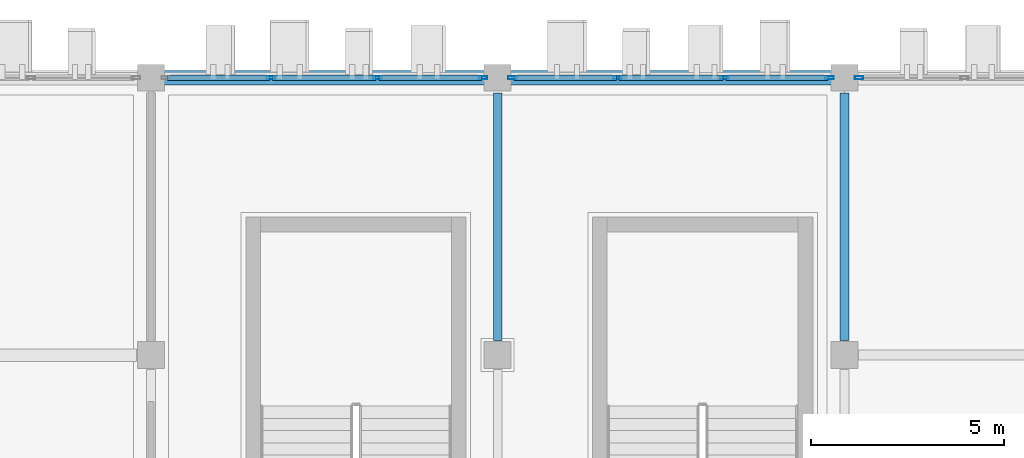
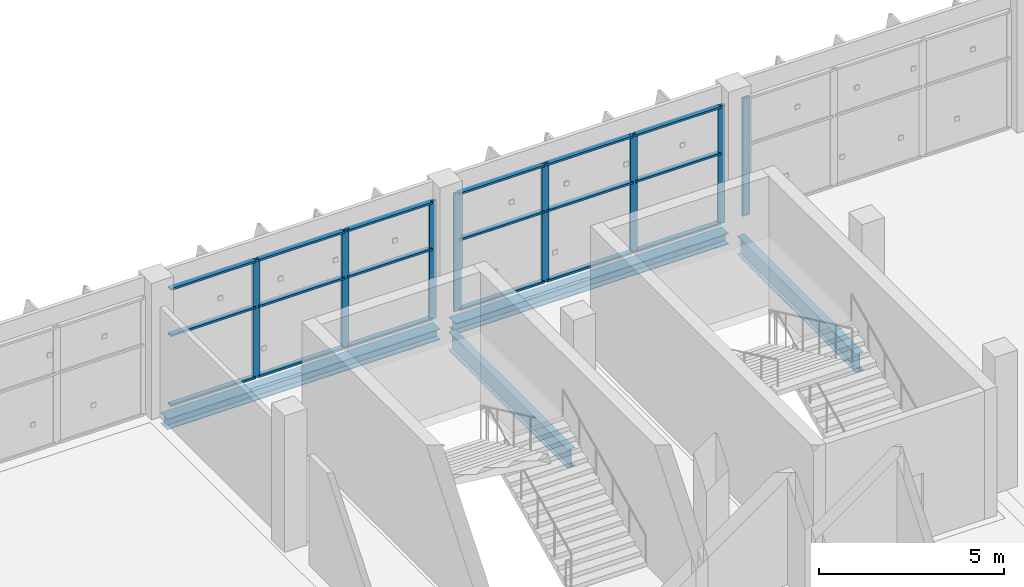
# One storey, part 75 of 151: 26 members, 4 beams, 3 elements without a shape of their own.
"""IFC4 building model written with IfcOpenShell, lengths in metres."""

from ifc_helpers import new_model, si_unit, direction, frame, origin, origin_2d, place, context, subcontext, project, spatial, hollow_rectangle, i_section, extrude, material, layer, layer_set, material_profile, profile_set, type_object, element, aggregate, save


model = new_model("IFC4")

# Units and contexts
model_context = context("Model", 3, precision=1e-05, world=origin(), true_north=direction((0.0, 1.0)))
body_context = subcontext(model_context, "Body", "Model", "MODEL_VIEW")
ifc_project = project(units=[si_unit("LENGTHUNIT", "METRE"), si_unit("AREAUNIT", "SQUARE_METRE"), si_unit("VOLUMEUNIT", "CUBIC_METRE"), si_unit("PLANEANGLEUNIT", "RADIAN"), si_unit("MASSUNIT", "GRAM", prefix="KILO")], contexts=[model_context])

# Site, building, storey
site_placement = place(None, origin())
site = spatial("IfcSite", under=ifc_project, at=site_placement, CompositionType="ELEMENT")
building_placement = place(site_placement, origin())
building = spatial("IfcBuilding", under=site, at=building_placement, Name="Celestram Park Convention Centre", CompositionType="ELEMENT")
storey_placement = place(building_placement, frame((0.0, 0.0, 10.800048828125)))
storey = spatial("IfcBuildingStorey", under=building, at=storey_placement, Name="L02", CompositionType="ELEMENT", Elevation=10.800048828125)

# Curtain wall, members
ifc_material_1 = material(Name="Anodised Aluminium Alloy 6063-T6", Category="aluminium")
ifc_layer = layer(ifc_material_1, 0.179931640625)
ifc_layer_set = layer_set([ifc_layer], Name="Anodised Aluminium Alloy 6063-T6")
curtain_wall_type = type_object("IfcCurtainWallType", Name="ARC-CW-830X389", PredefinedType="NOTDEFINED", material=ifc_layer_set)
curtain_wall_1_placement = place(storey_placement, origin())
curtain_wall_1 = element("IfcCurtainWall", 1, at=curtain_wall_1_placement, inside=storey, type_object=curtain_wall_type, Name="Unitised curtain wall CU-L02-155", PredefinedType="NOTDEFINED")
ifc_material_profile_1 = material_profile(ifc_material_1, hollow_rectangle(XDim=0.074951171875, YDim=0.219970703125, WallThickness=0.00390625, at=origin_2d()), Name="ALU75X220X4")
ifc_profile_set_1 = profile_set([ifc_material_profile_1], Name="Anodised Aluminium Alloy 6063-T6")
member_type_1 = type_object("IfcMemberType", Name="ARC-CWM-180", PredefinedType="MULLION", material=ifc_profile_set_1)
member_1_placement = place(storey_placement, frame((84.115966796875, 165.60009765625, 0.0), z_axis=(0.0, 0.0, 1.0), x_axis=(0.0, 1.0, 0.0)))
member_1 = element("IfcMember", 2, at=member_1_placement, type_object=member_type_1, Name="CW-83X38 mullion 2", PredefinedType="MULLION", context=body_context, shape_type="SweptSolid", body=[
    extrude(hollow_rectangle(XDim=0.074951171875, YDim=0.219970703125, WallThickness=0.00390625, at=origin_2d()), origin(), (0.0, 0.0, 1.0), 3.89404296875),
])
member_2_placement = place(storey_placement, frame((86.884033203125, 165.60009765625, 0.0), z_axis=(0.0, 0.0, 1.0), x_axis=(0.0, 1.0, 0.0)))
member_2 = element("IfcMember", 3, at=member_2_placement, type_object=member_type_1, Name="CW-83X38 mullion 3", PredefinedType="MULLION", context=body_context, shape_type="SweptSolid", body=[
    extrude(hollow_rectangle(XDim=0.074951171875, YDim=0.219970703125, WallThickness=0.00390625, at=origin_2d()), origin(), (0.0, 0.0, 1.0), 3.89404296875),
])
member_3_placement = place(storey_placement, frame((89.614501953125, 165.60009765625, 0.0), z_axis=(0.0, 0.0, 1.0), x_axis=(0.0, 1.0, 0.0)))
member_3 = element("IfcMember", 4, at=member_3_placement, type_object=member_type_1, Name="CW-83X38 mullion 4", PredefinedType="MULLION", context=body_context, shape_type="SweptSolid", body=[
    extrude(hollow_rectangle(XDim=0.074951171875, YDim=0.219970703125, WallThickness=0.00390625, at=origin_2d()), origin(), (0.0, 0.0, 1.0), 3.89404296875),
])

curtain_wall_2_placement = place(storey_placement, origin())
curtain_wall_2 = element("IfcCurtainWall", 5, at=curtain_wall_2_placement, inside=storey, type_object=curtain_wall_type, Name="Unitised curtain wall CU-L02-156", PredefinedType="NOTDEFINED")
member_4_placement = place(storey_placement, frame((90.385498046875, 165.60009765625, 0.0), z_axis=(0.0, 0.0, 1.0), x_axis=(0.0, 1.0, 0.0)))
member_4 = element("IfcMember", 6, at=member_4_placement, type_object=member_type_1, Name="CW-83X38 mullion 1", PredefinedType="MULLION", context=body_context, shape_type="SweptSolid", body=[
    extrude(hollow_rectangle(XDim=0.074951171875, YDim=0.219970703125, WallThickness=0.00390625, at=origin_2d()), origin(), (0.0, 0.0, 1.0), 3.89404296875),
])
member_5_placement = place(storey_placement, frame((93.115966796875, 165.60009765625, 0.0), z_axis=(0.0, 0.0, 1.0), x_axis=(0.0, 1.0, 0.0)))
member_5 = element("IfcMember", 7, at=member_5_placement, type_object=member_type_1, Name="CW-83X38 mullion 2", PredefinedType="MULLION", context=body_context, shape_type="SweptSolid", body=[
    extrude(hollow_rectangle(XDim=0.074951171875, YDim=0.219970703125, WallThickness=0.00390625, at=origin_2d()), origin(), (0.0, 0.0, 1.0), 3.89404296875),
])
member_6_placement = place(storey_placement, frame((95.884033203125, 165.60009765625, 0.0), z_axis=(0.0, 0.0, 1.0), x_axis=(0.0, 1.0, 0.0)))
member_6 = element("IfcMember", 8, at=member_6_placement, type_object=member_type_1, Name="CW-83X38 mullion 3", PredefinedType="MULLION", context=body_context, shape_type="SweptSolid", body=[
    extrude(hollow_rectangle(XDim=0.074951171875, YDim=0.219970703125, WallThickness=0.00390625, at=origin_2d()), origin(), (0.0, 0.0, 1.0), 3.89404296875),
])
member_7_placement = place(storey_placement, frame((98.614501953125, 165.60009765625, 0.0), z_axis=(0.0, 0.0, 1.0), x_axis=(0.0, 1.0, 0.0)))
member_7 = element("IfcMember", 9, at=member_7_placement, type_object=member_type_1, Name="CW-83X38 mullion 4", PredefinedType="MULLION", context=body_context, shape_type="SweptSolid", body=[
    extrude(hollow_rectangle(XDim=0.074951171875, YDim=0.219970703125, WallThickness=0.00390625, at=origin_2d()), origin(), (0.0, 0.0, 1.0), 3.89404296875),
])

# Curtain wall, member
curtain_wall_3_placement = place(storey_placement, origin())
curtain_wall_3 = element("IfcCurtainWall", 10, at=curtain_wall_3_placement, inside=storey, type_object=curtain_wall_type, Name="Unitised curtain wall CU-L02-157", PredefinedType="NOTDEFINED")
member_8_placement = place(storey_placement, frame((99.385498046875, 165.60009765625, 0.0), z_axis=(0.0, 0.0, 1.0), x_axis=(0.0, 1.0, 0.0)))
member_8 = element("IfcMember", 11, at=member_8_placement, type_object=member_type_1, Name="CW-83X38 mullion 1", PredefinedType="MULLION", context=body_context, shape_type="SweptSolid", body=[
    extrude(hollow_rectangle(XDim=0.074951171875, YDim=0.219970703125, WallThickness=0.00390625, at=origin_2d()), origin(), (0.0, 0.0, 1.0), 3.89404296875),
])
aggregate(curtain_wall_3, [member_8])

# Member
ifc_material_profile_2 = material_profile(ifc_material_1, hollow_rectangle(XDim=0.14990234375, YDim=0.06494140625, WallThickness=0.0029296875, at=origin_2d()), Name="ALU150X65X3")
ifc_profile_set_2 = profile_set([ifc_material_profile_2], Name="Anodised Aluminium Alloy 6063-T6")
member_type_2 = type_object("IfcMemberType", Name="ARC-CWT-150", PredefinedType="USERDEFINED", material=ifc_profile_set_2)
member_9_placement = place(storey_placement, frame((81.423095703125, 165.60009765625, 0.032470703125), z_axis=(1.0, 0.0, 0.0), x_axis=(0.0, 1.0, 0.0)))
member_9 = element("IfcMember", 12, at=member_9_placement, type_object=member_type_2, Name="CW-83X38 transom 1.1", ObjectType="TRANSOM", PredefinedType="USERDEFINED", context=body_context, shape_type="SweptSolid", body=[
    extrude(hollow_rectangle(XDim=0.14990234375, YDim=0.06494140625, WallThickness=0.0029296875, at=origin_2d()), origin(), (0.0, 0.0, 1.0), 2.655517578125),
])

member_10_placement = place(storey_placement, frame((81.423095703125, 165.60009765625, 2.3359375), z_axis=(1.0, 0.0, 0.0), x_axis=(0.0, 1.0, 0.0)))
member_10 = element("IfcMember", 13, at=member_10_placement, type_object=member_type_2, Name="CW-83X38 transom 1.2", ObjectType="TRANSOM", PredefinedType="USERDEFINED", context=body_context, shape_type="SweptSolid", body=[
    extrude(hollow_rectangle(XDim=0.14990234375, YDim=0.06494140625, WallThickness=0.0029296875, at=origin_2d()), origin(), (0.0, 0.0, 1.0), 2.655517578125),
])

member_11_placement = place(storey_placement, frame((81.423095703125, 165.60009765625, 3.861572265625), z_axis=(1.0, 0.0, 0.0), x_axis=(0.0, 1.0, 0.0)))
member_11 = element("IfcMember", 14, at=member_11_placement, type_object=member_type_2, Name="CW-83X38 transom 1.3", ObjectType="TRANSOM", PredefinedType="USERDEFINED", context=body_context, shape_type="SweptSolid", body=[
    extrude(hollow_rectangle(XDim=0.14990234375, YDim=0.06494140625, WallThickness=0.0029296875, at=origin_2d()), origin(), (0.0, 0.0, 1.0), 2.655517578125),
])

member_12_placement = place(storey_placement, frame((84.153564453125, 165.60009765625, 0.032470703125), z_axis=(1.0, 0.0, 0.0), x_axis=(0.0, 1.0, 0.0)))
member_12 = element("IfcMember", 15, at=member_12_placement, type_object=member_type_2, Name="CW-83X38 transom 2.1", ObjectType="TRANSOM", PredefinedType="USERDEFINED", context=body_context, shape_type="SweptSolid", body=[
    extrude(hollow_rectangle(XDim=0.14990234375, YDim=0.06494140625, WallThickness=0.0029296875, at=origin_2d()), origin(), (0.0, 0.0, 1.0), 2.69287109375),
])

member_13_placement = place(storey_placement, frame((84.153564453125, 165.60009765625, 2.3359375), z_axis=(1.0, 0.0, 0.0), x_axis=(0.0, 1.0, 0.0)))
member_13 = element("IfcMember", 16, at=member_13_placement, type_object=member_type_2, Name="CW-83X38 transom 2.2", ObjectType="TRANSOM", PredefinedType="USERDEFINED", context=body_context, shape_type="SweptSolid", body=[
    extrude(hollow_rectangle(XDim=0.14990234375, YDim=0.06494140625, WallThickness=0.0029296875, at=origin_2d()), origin(), (0.0, 0.0, 1.0), 2.69287109375),
])

member_14_placement = place(storey_placement, frame((84.153564453125, 165.60009765625, 3.861572265625), z_axis=(1.0, 0.0, 0.0), x_axis=(0.0, 1.0, 0.0)))
member_14 = element("IfcMember", 17, at=member_14_placement, type_object=member_type_2, Name="CW-83X38 transom 2.3", ObjectType="TRANSOM", PredefinedType="USERDEFINED", context=body_context, shape_type="SweptSolid", body=[
    extrude(hollow_rectangle(XDim=0.14990234375, YDim=0.06494140625, WallThickness=0.0029296875, at=origin_2d()), origin(), (0.0, 0.0, 1.0), 2.69287109375),
])

member_15_placement = place(storey_placement, frame((86.92138671875, 165.60009765625, 0.032470703125), z_axis=(1.0, 0.0, 0.0), x_axis=(0.0, 1.0, 0.0)))
member_15 = element("IfcMember", 18, at=member_15_placement, type_object=member_type_2, Name="CW-83X38 transom 3.1", ObjectType="TRANSOM", PredefinedType="USERDEFINED", context=body_context, shape_type="SweptSolid", body=[
    extrude(hollow_rectangle(XDim=0.14990234375, YDim=0.06494140625, WallThickness=0.0029296875, at=origin_2d()), origin(), (0.0, 0.0, 1.0), 2.655517578125),
])

member_16_placement = place(storey_placement, frame((86.92138671875, 165.60009765625, 2.3359375), z_axis=(1.0, 0.0, 0.0), x_axis=(0.0, 1.0, 0.0)))
member_16 = element("IfcMember", 19, at=member_16_placement, type_object=member_type_2, Name="CW-83X38 transom 3.2", ObjectType="TRANSOM", PredefinedType="USERDEFINED", context=body_context, shape_type="SweptSolid", body=[
    extrude(hollow_rectangle(XDim=0.14990234375, YDim=0.06494140625, WallThickness=0.0029296875, at=origin_2d()), origin(), (0.0, 0.0, 1.0), 2.655517578125),
])

member_17_placement = place(storey_placement, frame((86.92138671875, 165.60009765625, 3.861572265625), z_axis=(1.0, 0.0, 0.0), x_axis=(0.0, 1.0, 0.0)))
member_17 = element("IfcMember", 20, at=member_17_placement, type_object=member_type_2, Name="CW-83X38 transom 3.3", ObjectType="TRANSOM", PredefinedType="USERDEFINED", context=body_context, shape_type="SweptSolid", body=[
    extrude(hollow_rectangle(XDim=0.14990234375, YDim=0.06494140625, WallThickness=0.0029296875, at=origin_2d()), origin(), (0.0, 0.0, 1.0), 2.655517578125),
])

aggregate(curtain_wall_1, [member_1, member_2, member_3, member_9, member_10, member_11, member_12, member_13, member_14, member_15, member_16, member_17])

member_18_placement = place(storey_placement, frame((90.423095703125, 165.60009765625, 0.032470703125), z_axis=(1.0, 0.0, 0.0), x_axis=(0.0, 1.0, 0.0)))
member_18 = element("IfcMember", 21, at=member_18_placement, type_object=member_type_2, Name="CW-83X38 transom 1.1", ObjectType="TRANSOM", PredefinedType="USERDEFINED", context=body_context, shape_type="SweptSolid", body=[
    extrude(hollow_rectangle(XDim=0.14990234375, YDim=0.06494140625, WallThickness=0.0029296875, at=origin_2d()), origin(), (0.0, 0.0, 1.0), 2.655517578125),
])

member_19_placement = place(storey_placement, frame((90.423095703125, 165.60009765625, 2.3359375), z_axis=(1.0, 0.0, 0.0), x_axis=(0.0, 1.0, 0.0)))
member_19 = element("IfcMember", 22, at=member_19_placement, type_object=member_type_2, Name="CW-83X38 transom 1.2", ObjectType="TRANSOM", PredefinedType="USERDEFINED", context=body_context, shape_type="SweptSolid", body=[
    extrude(hollow_rectangle(XDim=0.14990234375, YDim=0.06494140625, WallThickness=0.0029296875, at=origin_2d()), origin(), (0.0, 0.0, 1.0), 2.655517578125),
])

member_20_placement = place(storey_placement, frame((90.423095703125, 165.60009765625, 3.861572265625), z_axis=(1.0, 0.0, 0.0), x_axis=(0.0, 1.0, 0.0)))
member_20 = element("IfcMember", 23, at=member_20_placement, type_object=member_type_2, Name="CW-83X38 transom 1.3", ObjectType="TRANSOM", PredefinedType="USERDEFINED", context=body_context, shape_type="SweptSolid", body=[
    extrude(hollow_rectangle(XDim=0.14990234375, YDim=0.06494140625, WallThickness=0.0029296875, at=origin_2d()), origin(), (0.0, 0.0, 1.0), 2.655517578125),
])

member_21_placement = place(storey_placement, frame((93.153564453125, 165.60009765625, 0.032470703125), z_axis=(1.0, 0.0, 0.0), x_axis=(0.0, 1.0, 0.0)))
member_21 = element("IfcMember", 24, at=member_21_placement, type_object=member_type_2, Name="CW-83X38 transom 2.1", ObjectType="TRANSOM", PredefinedType="USERDEFINED", context=body_context, shape_type="SweptSolid", body=[
    extrude(hollow_rectangle(XDim=0.14990234375, YDim=0.06494140625, WallThickness=0.0029296875, at=origin_2d()), origin(), (0.0, 0.0, 1.0), 2.69287109375),
])

member_22_placement = place(storey_placement, frame((93.153564453125, 165.60009765625, 2.3359375), z_axis=(1.0, 0.0, 0.0), x_axis=(0.0, 1.0, 0.0)))
member_22 = element("IfcMember", 25, at=member_22_placement, type_object=member_type_2, Name="CW-83X38 transom 2.2", ObjectType="TRANSOM", PredefinedType="USERDEFINED", context=body_context, shape_type="SweptSolid", body=[
    extrude(hollow_rectangle(XDim=0.14990234375, YDim=0.06494140625, WallThickness=0.0029296875, at=origin_2d()), origin(), (0.0, 0.0, 1.0), 2.69287109375),
])

member_23_placement = place(storey_placement, frame((93.153564453125, 165.60009765625, 3.861572265625), z_axis=(1.0, 0.0, 0.0), x_axis=(0.0, 1.0, 0.0)))
member_23 = element("IfcMember", 26, at=member_23_placement, type_object=member_type_2, Name="CW-83X38 transom 2.3", ObjectType="TRANSOM", PredefinedType="USERDEFINED", context=body_context, shape_type="SweptSolid", body=[
    extrude(hollow_rectangle(XDim=0.14990234375, YDim=0.06494140625, WallThickness=0.0029296875, at=origin_2d()), origin(), (0.0, 0.0, 1.0), 2.69287109375),
])

member_24_placement = place(storey_placement, frame((95.92138671875, 165.60009765625, 0.032470703125), z_axis=(1.0, 0.0, 0.0), x_axis=(0.0, 1.0, 0.0)))
member_24 = element("IfcMember", 27, at=member_24_placement, type_object=member_type_2, Name="CW-83X38 transom 3.1", ObjectType="TRANSOM", PredefinedType="USERDEFINED", context=body_context, shape_type="SweptSolid", body=[
    extrude(hollow_rectangle(XDim=0.14990234375, YDim=0.06494140625, WallThickness=0.0029296875, at=origin_2d()), origin(), (0.0, 0.0, 1.0), 2.655517578125),
])

member_25_placement = place(storey_placement, frame((95.92138671875, 165.60009765625, 2.3359375), z_axis=(1.0, 0.0, 0.0), x_axis=(0.0, 1.0, 0.0)))
member_25 = element("IfcMember", 28, at=member_25_placement, type_object=member_type_2, Name="CW-83X38 transom 3.2", ObjectType="TRANSOM", PredefinedType="USERDEFINED", context=body_context, shape_type="SweptSolid", body=[
    extrude(hollow_rectangle(XDim=0.14990234375, YDim=0.06494140625, WallThickness=0.0029296875, at=origin_2d()), origin(), (0.0, 0.0, 1.0), 2.655517578125),
])

member_26_placement = place(storey_placement, frame((95.92138671875, 165.60009765625, 3.861572265625), z_axis=(1.0, 0.0, 0.0), x_axis=(0.0, 1.0, 0.0)))
member_26 = element("IfcMember", 29, at=member_26_placement, type_object=member_type_2, Name="CW-83X38 transom 3.3", ObjectType="TRANSOM", PredefinedType="USERDEFINED", context=body_context, shape_type="SweptSolid", body=[
    extrude(hollow_rectangle(XDim=0.14990234375, YDim=0.06494140625, WallThickness=0.0029296875, at=origin_2d()), origin(), (0.0, 0.0, 1.0), 2.655517578125),
])

aggregate(curtain_wall_2, [member_4, member_5, member_6, member_7, member_18, member_19, member_20, member_21, member_22, member_23, member_24, member_25, member_26])

# Beams
ifc_material_2 = material(Name="Steel ASTM A992 Grade 50", Category="steel")
ifc_material_profile_3 = material_profile(ifc_material_2, i_section(OverallWidth=0.22900390625, OverallDepth=0.612060546875, WebThickness=0.011962890625, FlangeThickness=0.01953125, at=origin_2d()), Name="W24X84")
ifc_profile_set_3 = profile_set([ifc_material_profile_3], Name="Steel ASTM A992 Grade 50")
beam_type_1 = type_object("IfcBeamType", Name="STR-BM-W24X84", PredefinedType="BEAM", material=ifc_profile_set_3)
for number, where, z_axis, x_axis, name in (
    (30, (90.0, 158.77294921875, -0.5859375), (0.0, 1.0, 0.0), (-1.0, 0.0, 0.0), "Primary Y-girder BG-L02-0108"),
    (31, (99.0, 158.77294921875, -0.5859375), (0.0, 1.0, 0.0), (-1.0, 0.0, 0.0), "Primary Y-girder BG-L02-0124"),
):
    element("IfcBeam", number, at=place(storey_placement, frame(where, z_axis=z_axis, x_axis=x_axis)), inside=storey, type_object=beam_type_1, Name=name, PredefinedType="BEAM", context=body_context, shape_type="SweptSolid", body=[
        extrude(i_section(OverallWidth=0.22900390625, OverallDepth=0.612060546875, WebThickness=0.011962890625, FlangeThickness=0.01953125, at=origin_2d()), origin(), (0.0, 0.0, 1.0), 6.428955078125),
    ])
ifc_material_profile_4 = material_profile(ifc_material_2, i_section(OverallWidth=0.367919921875, OverallDepth=0.35595703125, WebThickness=0.01123046875, FlangeThickness=0.01806640625, at=origin_2d()), Name="W14X90")
ifc_profile_set_4 = profile_set([ifc_material_profile_4], Name="Steel ASTM A992 Grade 50")
beam_type_2 = type_object("IfcBeamType", Name="STR-SPN-W14X90", PredefinedType="SPANDREL", material=ifc_profile_set_4)
for number, where, z_axis, x_axis, name in (
    (32, (81.248046875, 165.60009765625, -0.4580078125), (1.0, 0.0, 0.0), (0.0, 1.0, 0.0), "Primary X-girder BG-L02-0094"),
    (33, (90.248046875, 165.60009765625, -0.4580078125), (1.0, 0.0, 0.0), (0.0, 1.0, 0.0), "Primary X-girder BG-L02-0109"),
):
    element("IfcBeam", number, at=place(storey_placement, frame(where, z_axis=z_axis, x_axis=x_axis)), inside=storey, type_object=beam_type_2, Name=name, PredefinedType="SPANDREL", context=body_context, shape_type="SweptSolid", body=[
        extrude(i_section(OverallWidth=0.367919921875, OverallDepth=0.35595703125, WebThickness=0.01123046875, FlangeThickness=0.01806640625, at=origin_2d()), origin(), (0.0, 0.0, 1.0), 8.50390625),
    ])

save(model, "model.ifc")
